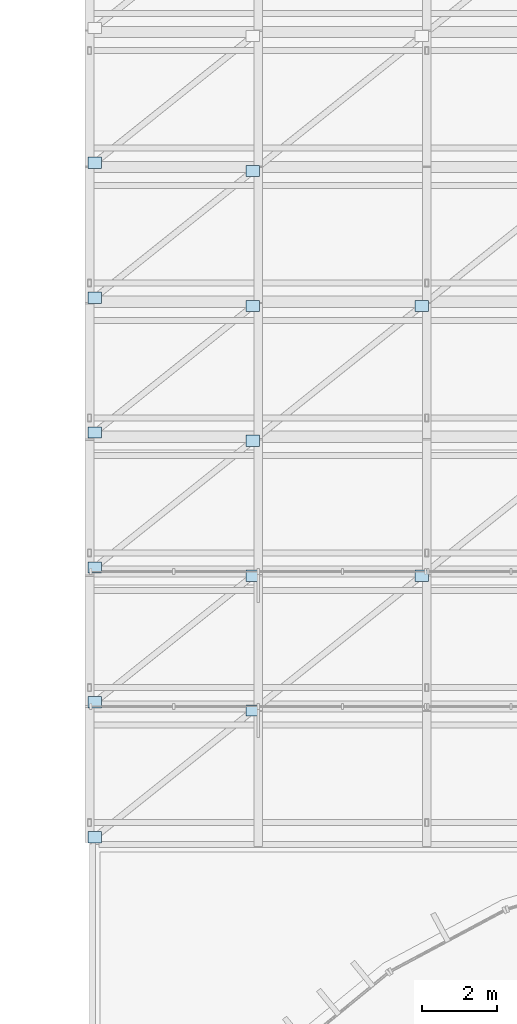
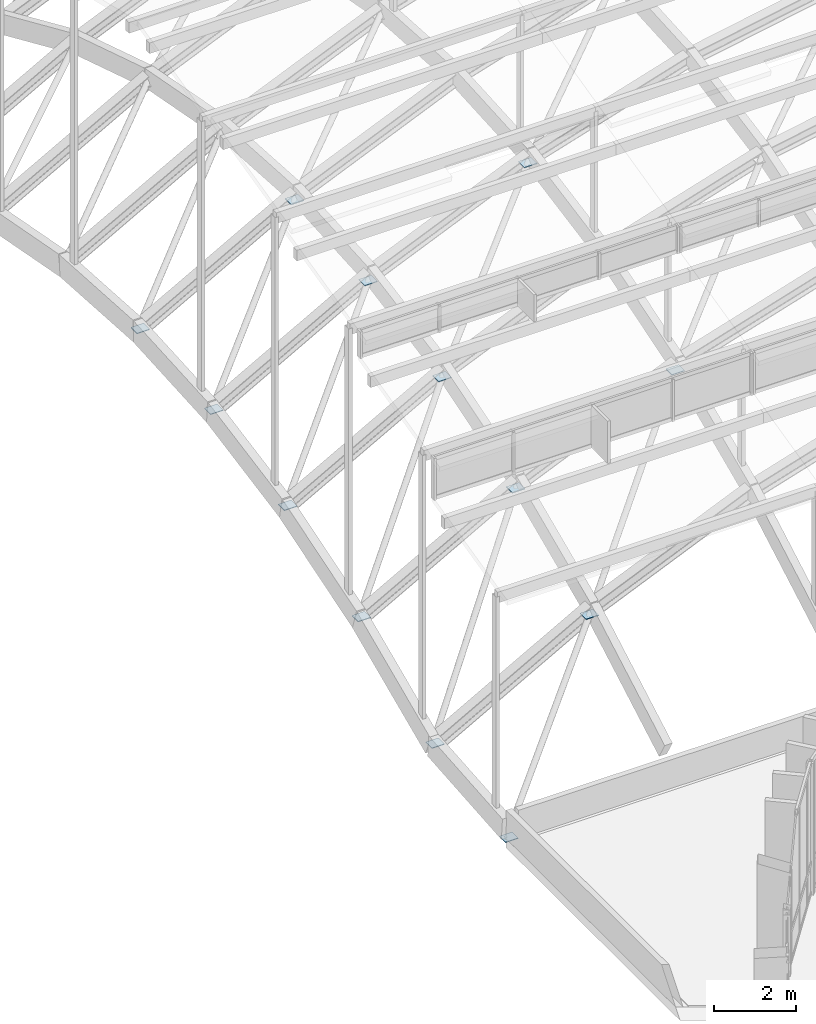
# One storey, part 49 of 69: 13 plates.
"""IFC4 building model written with IfcOpenShell, lengths in metres."""

from ifc_helpers import new_model, si_unit, direction, frame, origin, origin_2d, place, context, subcontext, project, spatial, rectangle, extrude, material, layer, layer_set, type_object, element, save


model = new_model("IFC4")

# Units and contexts
model_context = context("Model", 3, precision=1e-05, world=origin(), true_north=direction((0.0, 1.0)))
body_context = subcontext(model_context, "Body", "Model", "MODEL_VIEW")
ifc_project = project(units=[si_unit("LENGTHUNIT", "METRE"), si_unit("AREAUNIT", "SQUARE_METRE"), si_unit("VOLUMEUNIT", "CUBIC_METRE"), si_unit("PLANEANGLEUNIT", "RADIAN"), si_unit("MASSUNIT", "GRAM", prefix="KILO")], contexts=[model_context])

# Site, building, storey
site_placement = place(None, origin())
site = spatial("IfcSite", under=ifc_project, at=site_placement, CompositionType="ELEMENT")
building_placement = place(site_placement, origin())
building = spatial("IfcBuilding", under=site, at=building_placement, Name="Montealbar Specialist Clinic", CompositionType="ELEMENT")
storey_placement = place(building_placement, frame((0.0, 0.0, 9.60009765625)))
storey = spatial("IfcBuildingStorey", under=building, at=storey_placement, Name="L02", CompositionType="ELEMENT", Elevation=9.60009765625)

# Plates
ifc_material = material(Name="Steel S355", Category="steel")
ifc_layer = layer(ifc_material, 0.02001953125, Name="Steel S355", Category="steel")
ifc_layer_set = layer_set([ifc_layer], Name="Steel S355")
plate_type = type_object("IfcPlateType", Name="PL-GUSSET-20-EXT", PredefinedType="SHEET", material=ifc_layer_set)
for number, where, z_axis, x_axis, name in (
    (1, (54.139892578125, 45.110107421875, -0.085205078125), (0.0, 0.0, 1.0), (1.0, 0.0, 0.0), "Gridshell Brace Node Gusset Plate 0-0"),
    (2, (58.360107421875, 48.489990234375, 3.031005859375), (0.0, 0.0, 1.0), (1.0, 0.0, 0.0), "Gridshell Brace Node Gusset Plate 1-1"),
    (3, (54.139892578125, 48.7099609375, 0.535888671875), (0.0, 0.0, 1.0), (1.0, 0.0, 0.0), "Gridshell Brace Node Gusset Plate 0-1"),
    (4, (58.360107421875, 52.090087890625, 4.618896484375), (0.0, 0.0, 1.0), (1.0, 0.0, 0.0), "Gridshell Brace Node Gusset Plate 1-2"),
    (5, (54.139892578125, 52.31005859375, 2.123779296875), (0.0, 0.0, 1.0), (1.0, 0.0, 0.0), "Gridshell Brace Node Gusset Plate 0-2"),
    (6, (58.360107421875, 55.68994140625, 5.7529296875), (0.0, 0.0, 1.0), (1.0, 0.0, 0.0), "Gridshell Brace Node Gusset Plate 1-3"),
    (7, (54.139892578125, 55.909912109375, 3.2578125), (0.0, 0.0, 1.0), (1.0, 0.0, 0.0), "Gridshell Brace Node Gusset Plate 0-3"),
    (8, (58.360107421875, 59.2900390625, 6.432861328125), (0.0, 0.0, 1.0), (1.0, 0.0, 0.0), "Gridshell Brace Node Gusset Plate 1-4"),
    (9, (54.139892578125, 59.510009765625, 3.93798828125), (0.0, 0.0, 1.0), (1.0, 0.0, 0.0), "Gridshell Brace Node Gusset Plate 0-4"),
    (10, (58.360107421875, 62.889892578125, 6.659912109375), (0.0, 0.0, 1.0), (1.0, 0.0, 0.0), "Gridshell Brace Node Gusset Plate 1-5"),
    (11, (54.139892578125, 63.110107421875, 4.164794921875), (0.0, 0.0, 1.0), (1.0, 0.0, 0.0), "Gridshell Brace Node Gusset Plate 0-5"),
    (12, (62.860107421875, 52.090087890625, 6.558837890625), (0.0, 0.0, 1.0), (1.0, 0.0, 0.0), "Gridshell Brace Node Gusset Plate 2-2"),
    (13, (62.860107421875, 59.2900390625, 8.372802734375), (0.0, 0.0, 1.0), (1.0, 0.0, 0.0), "Gridshell Brace Node Gusset Plate 2-4"),
):
    element("IfcPlate", number, at=place(storey_placement, frame(where, z_axis=z_axis, x_axis=x_axis)), inside=storey, type_object=plate_type, Name=name, PredefinedType="SHEET", context=body_context, shape_type="SweptSolid", body=[
        extrude(rectangle(XDim=0.360107421875, YDim=0.300048828125, at=origin_2d()), origin(), (0.0, 0.0, 1.0), 0.02001953125),
    ])

save(model, "model.ifc")
